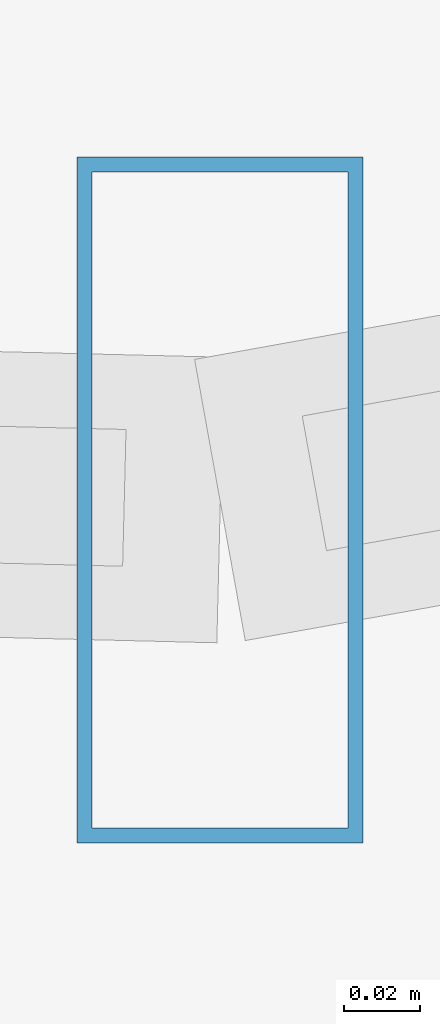
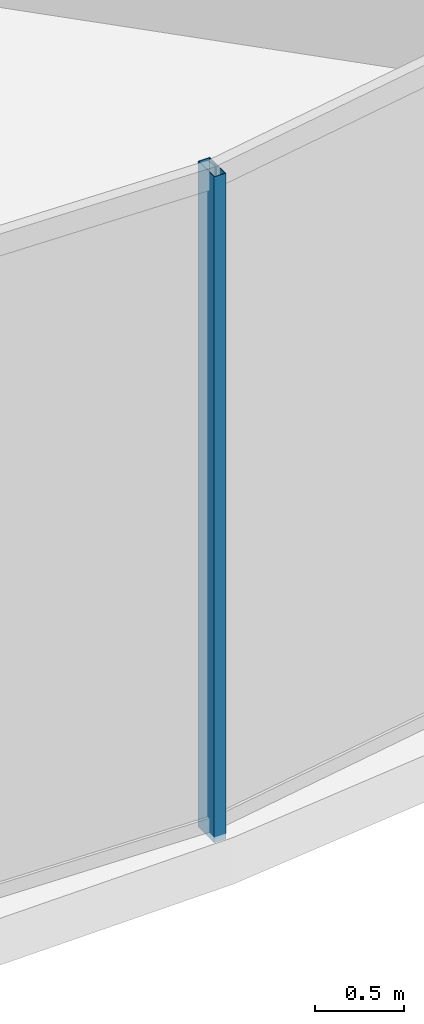
# One storey, part 8 of 26: 1 member, 1 element without a shape of its own.
"""IFC4 building model written with IfcOpenShell, lengths in metres."""

from ifc_helpers import new_model, si_unit, direction, frame, origin, origin_2d, place, context, subcontext, project, spatial, hollow_rectangle, extrude, material, material_profile, profile_set, type_object, element, aggregate, save


model = new_model("IFC4")

# Units and contexts
model_context = context("Model", 3, precision=1e-05, world=origin(), true_north=direction((0.0, 1.0)))
body_context = subcontext(model_context, "Body", "Model", "MODEL_VIEW")
ifc_project = project(units=[si_unit("LENGTHUNIT", "METRE"), si_unit("AREAUNIT", "SQUARE_METRE"), si_unit("VOLUMEUNIT", "CUBIC_METRE"), si_unit("PLANEANGLEUNIT", "RADIAN"), si_unit("MASSUNIT", "GRAM", prefix="KILO")], contexts=[model_context])

# Site, building, storey
site_placement = place(None, origin())
site = spatial("IfcSite", under=ifc_project, at=site_placement, CompositionType="ELEMENT")
building_placement = place(site_placement, origin())
building = spatial("IfcBuilding", under=site, at=building_placement, Name="Vorneva Point Tower", CompositionType="ELEMENT")
storey_placement = place(building_placement, frame((0.0, 0.0, 14.39990234375)))
storey = spatial("IfcBuildingStorey", under=building, at=storey_placement, Name="L03", CompositionType="ELEMENT", Elevation=14.39990234375)

# Curtain wall, member
ifc_material = material(Name="Pale anodised aluminium", Category="aluminium")
curtain_wall_type = type_object("IfcCurtainWallType", Name="CW-POD-SYS", PredefinedType="NOTDEFINED", material=ifc_material)
curtain_wall_placement = place(storey_placement, origin())
curtain_wall = element("IfcCurtainWall", 1, at=curtain_wall_placement, inside=storey, type_object=curtain_wall_type, Name="L03 Unitised Curtain Wall CW-L03-R04", PredefinedType="NOTDEFINED")
ifc_material_profile = material_profile(ifc_material, hollow_rectangle(XDim=0.074951171875, YDim=0.179931640625, WallThickness=0.00390625, at=origin_2d()), Name="AL-MUL 180x75x4")
ifc_profile_set = profile_set([ifc_material_profile], Name="Pale anodised aluminium")
member_type = type_object("IfcMemberType", Name="CW-MUL-180", PredefinedType="MULLION", material=ifc_profile_set)
member_placement = place(storey_placement, frame((50.179443359375, 3.251220703125, -0.039794921875), z_axis=(0.0, 0.0, 1.0), x_axis=(1.0, 0.0, 0.0)))
member = element("IfcMember", 2, at=member_placement, type_object=member_type, Name="CW-L03-R04 Mullion 02", PredefinedType="MULLION", context=body_context, shape_type="SweptSolid", body=[
    extrude(hollow_rectangle(XDim=0.074951171875, YDim=0.179931640625, WallThickness=0.00390625, at=origin_2d()), origin(), (0.0, 0.0, 1.0), 4.5498046875),
])
aggregate(curtain_wall, [member])

save(model, "model.ifc")
